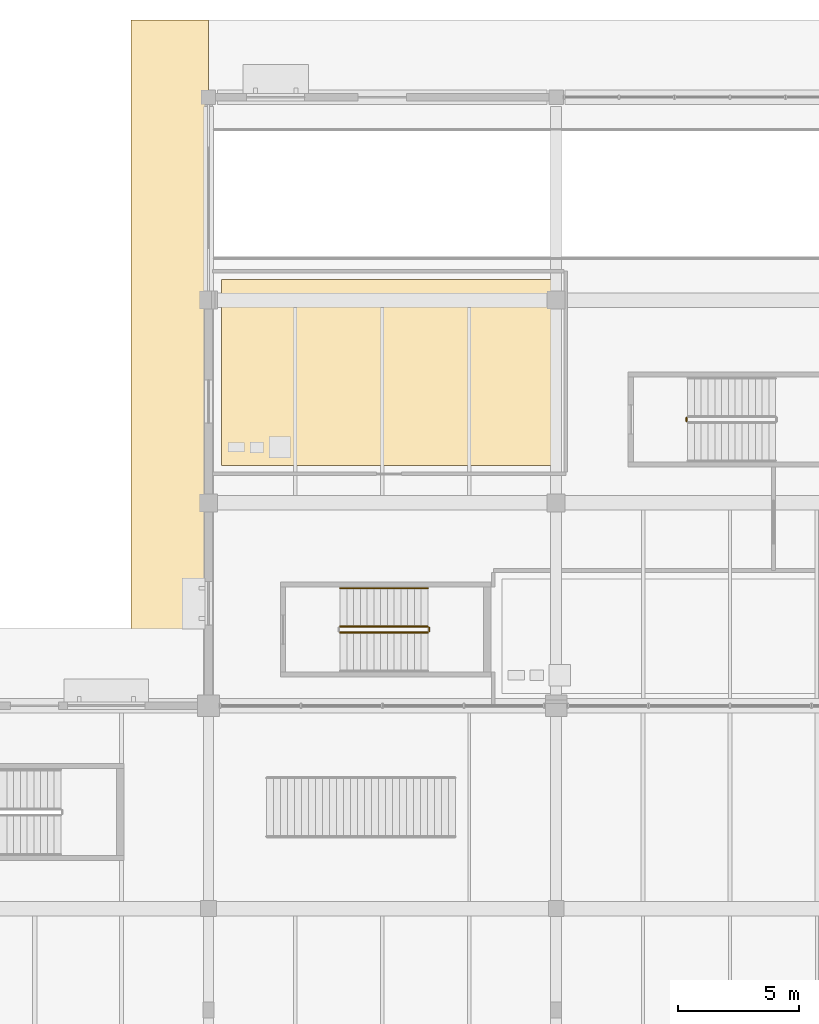
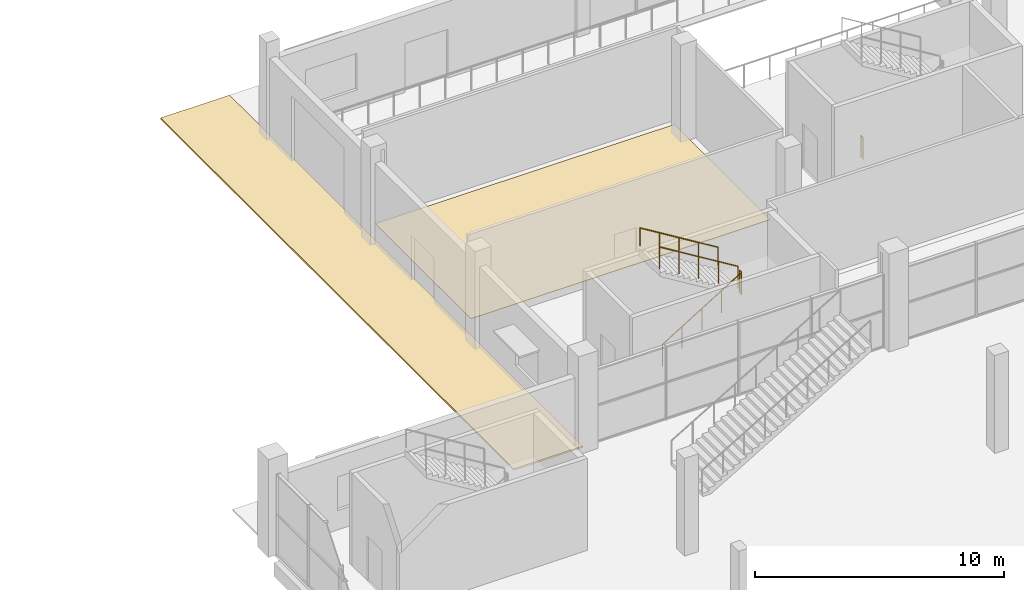
# One storey, part 119 of 130: 5 railings, 2 coverings.
"""IFC4 building model written with IfcOpenShell, lengths in metres."""

from ifc_helpers import new_model, si_unit, direction, frame, origin, origin_2d, place, context, subcontext, project, spatial, polyline, circle, outline, extrude, material, layer, layer_set, type_object, element, save


model = new_model("IFC4")

# Units and contexts
model_context = context("Model", 3, precision=1e-05, world=origin(), true_north=direction((0.0, 1.0)))
body_context = subcontext(model_context, "Body", "Model", "MODEL_VIEW")
ifc_project = project(units=[si_unit("LENGTHUNIT", "METRE"), si_unit("AREAUNIT", "SQUARE_METRE"), si_unit("VOLUMEUNIT", "CUBIC_METRE"), si_unit("PLANEANGLEUNIT", "RADIAN"), si_unit("MASSUNIT", "GRAM", prefix="KILO"), si_unit("THERMODYNAMICTEMPERATUREUNIT", "KELVIN")], contexts=[model_context])

# Site, building, storey
site_placement = place(None, origin())
site = spatial("IfcSite", under=ifc_project, at=site_placement, CompositionType="ELEMENT")
building_placement = place(site_placement, origin())
building = spatial("IfcBuilding", under=site, at=building_placement, Name="Nduvali Passage Aquatics Centre", CompositionType="ELEMENT")
storey_placement = place(building_placement, origin())
storey = spatial("IfcBuildingStorey", under=building, at=storey_placement, Name="L00", CompositionType="ELEMENT", Elevation=0.0)

# Covering
ifc_material_1 = material(Name="Anti-slip ceramic pool deck tile")
ifc_layer_1 = layer(ifc_material_1, 0.02490234375, Name="Anti-slip ceramic pool deck tile")
ifc_layer_set_1 = layer_set([ifc_layer_1], Name="Anti-slip ceramic pool deck tile")
covering_type_1 = type_object("IfcCoveringType", Name="INT-COV-TILE", PredefinedType="FLOORING", material=ifc_layer_set_1)
covering_1_placement = place(storey_placement, origin())
element("IfcCovering", 1, at=covering_1_placement, inside=storey, type_object=covering_type_1, Name="L00 Hydrotherapy Accessible Changing and Shower Room Floor Finish", PredefinedType="FLOORING", context=body_context, shape_type="SweptSolid", body=[
    extrude(outline(polyline([(40.14990234375, 102.35009765625), (54.050048828125, 102.35009765625), (54.050048828125, 110.050048828125), (40.14990234375, 110.050048828125), (40.14990234375, 102.35009765625)])), origin(), (0.0, 0.0, 1.0), 0.02490234375),
])

# Railings
ifc_material_2 = material(Name="Stainless steel balustrade", Category="steel")
railing_type_1 = type_object("IfcRailingType", Name="INT-RLG-GRD110", PredefinedType="GUARDRAIL", material=ifc_material_2)
railing_1_placement = place(storey_placement, frame((59.39990234375, 104.179931640625, 0.0)))
element("IfcRailing", 2, at=railing_1_placement, inside=storey, type_object=railing_type_1, Name="L00 ST3 stair guard 4", PredefinedType="GUARDRAIL", context=body_context, shape_type="SweptSolid", body=[
    extrude(circle(Radius=0.02392578125, at=origin_2d()), frame((0.0, 0.0, 1.076171875), z_axis=(0.0, 1.0, 0.0), x_axis=(-1.0, 0.0, 0.0)), (0.0, 0.0, 1.0), 0.150146484375),
    extrude(circle(Radius=0.02099609375, at=origin_2d()), origin(), (0.0, 0.0, 1.0), 1.052001953125),
    extrude(circle(Radius=0.02099609375, at=origin_2d()), frame((0.0, 0.150146484375, 0.0)), (0.0, 0.0, 1.0), 1.052001953125),
])
railing_2_placement = place(storey_placement, frame((45.050048828125, 95.429931640625, 0.17138671875)))
element("IfcRailing", 3, at=railing_2_placement, inside=storey, type_object=railing_type_1, Name="L00 ST4 stair guard 1", PredefinedType="GUARDRAIL", context=body_context, shape_type="SweptSolid", body=[
    extrude(circle(Radius=0.02392578125, at=origin_2d()), frame((0.0, 0.0, 1.076171875), z_axis=(0.852850264322, 0.0, 0.5221555579), x_axis=(0.0, 1.0, 0.0)), (0.0, 0.0, 1.0), 4.267822265625),
    extrude(circle(Radius=0.02099609375, at=origin_2d()), origin(), (0.0, 0.0, 1.0), 1.052001953125),
    extrude(circle(Radius=0.02099609375, at=origin_2d()), frame((0.909912109375, 0.0, 0.55712890625)), (0.0, 0.0, 1.0), 1.052001953125),
    extrude(circle(Radius=0.02099609375, at=origin_2d()), frame((1.81982421875, 0.0, 1.1142578125)), (0.0, 0.0, 1.0), 1.052001953125),
    extrude(circle(Radius=0.02099609375, at=origin_2d()), frame((2.72998046875, 0.0, 1.67138671875)), (0.0, 0.0, 1.0), 1.052001953125),
    extrude(circle(Radius=0.02099609375, at=origin_2d()), frame((3.639892578125, 0.0, 2.228515625)), (0.0, 0.0, 1.0), 1.052001953125),
])
railing_3_placement = place(storey_placement, frame((48.739990234375, 95.47998046875, 2.39990234375)))
element("IfcRailing", 4, at=railing_3_placement, inside=storey, type_object=railing_type_1, Name="L00 ST4 stair guard 2", PredefinedType="GUARDRAIL", context=body_context, shape_type="SweptSolid", body=[
    extrude(circle(Radius=0.02392578125, at=origin_2d()), frame((0.0, 0.0, 1.076171875), z_axis=(0.0, 1.0, 0.0), x_axis=(-1.0, 0.0, 0.0)), (0.0, 0.0, 1.0), 0.14990234375),
    extrude(circle(Radius=0.02099609375, at=origin_2d()), origin(), (0.0, 0.0, 1.0), 1.052001953125),
    extrude(circle(Radius=0.02099609375, at=origin_2d()), frame((0.0, 0.14990234375, 0.0)), (0.0, 0.0, 1.0), 1.052001953125),
])
railing_4_placement = place(storey_placement, frame((48.68994140625, 95.679931640625, 2.571533203125)))
element("IfcRailing", 5, at=railing_4_placement, inside=storey, type_object=railing_type_1, Name="L00 ST4 stair guard 3", PredefinedType="GUARDRAIL", context=body_context, shape_type="SweptSolid", body=[
    extrude(circle(Radius=0.02392578125, at=origin_2d()), frame((0.0, 0.0, 1.076171875), z_axis=(-0.852850264322, 0.0, 0.5221555579), x_axis=(0.0, -1.0, 0.0)), (0.0, 0.0, 1.0), 4.267822265625),
    extrude(circle(Radius=0.02099609375, at=origin_2d()), origin(), (0.0, 0.0, 1.0), 1.052001953125),
    extrude(circle(Radius=0.02099609375, at=origin_2d()), frame((-0.909912109375, 0.0, 0.55712890625)), (0.0, 0.0, 1.0), 1.052001953125),
    extrude(circle(Radius=0.02099609375, at=origin_2d()), frame((-1.81982421875, 0.0, 1.1142578125)), (0.0, 0.0, 1.0), 1.052001953125),
    extrude(circle(Radius=0.02099609375, at=origin_2d()), frame((-2.72998046875, 0.0, 1.67138671875)), (0.0, 0.0, 1.0), 1.052001953125),
    extrude(circle(Radius=0.02099609375, at=origin_2d()), frame((-3.639892578125, 0.0, 2.228515625)), (0.0, 0.0, 1.0), 1.052001953125),
])
railing_type_2 = type_object("IfcRailingType", Name="INT-RLG-HND90", PredefinedType="HANDRAIL", material=ifc_material_2)
railing_5_placement = place(storey_placement, frame((48.68994140625, 97.260009765625, 2.746337890625)))
element("IfcRailing", 6, at=railing_5_placement, inside=storey, type_object=railing_type_2, Name="L00 ST4 stair handrail 2", PredefinedType="HANDRAIL", context=body_context, shape_type="SweptSolid", body=[
    extrude(circle(Radius=0.02392578125, at=origin_2d()), frame((0.0, 0.0, 0.8759765625), z_axis=(-0.852850264322, 0.0, 0.5221555579), x_axis=(0.0, -1.0, 0.0)), (0.0, 0.0, 1.0), 4.267822265625),
    extrude(circle(Radius=0.02099609375, at=origin_2d()), origin(), (0.0, 0.0, 1.0), 0.851806640625),
    extrude(circle(Radius=0.02099609375, at=origin_2d()), frame((-0.909912109375, 0.0, 0.55712890625)), (0.0, 0.0, 1.0), 0.851806640625),
    extrude(circle(Radius=0.02099609375, at=origin_2d()), frame((-1.81982421875, 0.0, 1.1142578125)), (0.0, 0.0, 1.0), 0.851806640625),
    extrude(circle(Radius=0.02099609375, at=origin_2d()), frame((-2.72998046875, 0.0, 1.67138671875)), (0.0, 0.0, 1.0), 0.851806640625),
    extrude(circle(Radius=0.02099609375, at=origin_2d()), frame((-3.639892578125, 0.0, 2.228515625)), (0.0, 0.0, 1.0), 0.851806640625),
])

# Covering
ifc_material_3 = material(Name="Coral-stone masonry blockwork", Category="masonry")
ifc_layer_2 = layer(ifc_material_3, 0.080078125, Name="Coral-stone masonry blockwork")
ifc_layer_set_2 = layer_set([ifc_layer_2], Name="Coral-stone masonry blockwork")
covering_type_2 = type_object("IfcCoveringType", Name="STR-COV-PAV80", PredefinedType="USERDEFINED", material=ifc_layer_set_2)
covering_2_placement = place(storey_placement, frame((0.0, 0.0, -0.080078125)))
element("IfcCovering", 7, at=covering_2_placement, inside=storey, type_object=covering_type_2, Name="L00 North Wing West Ramp and Exit Paving", ObjectType="PAVING", PredefinedType="USERDEFINED", context=body_context, shape_type="SweptSolid", body=[
    extrude(outline(polyline([(36.39990234375, 92.39990234375), (39.60009765625, 92.39990234375), (39.60009765625, 120.800048828125), (36.39990234375, 120.800048828125), (36.39990234375, 92.39990234375)])), origin(), (0.0, 0.0, 1.0), 0.080078125),
])

save(model, "model.ifc")
